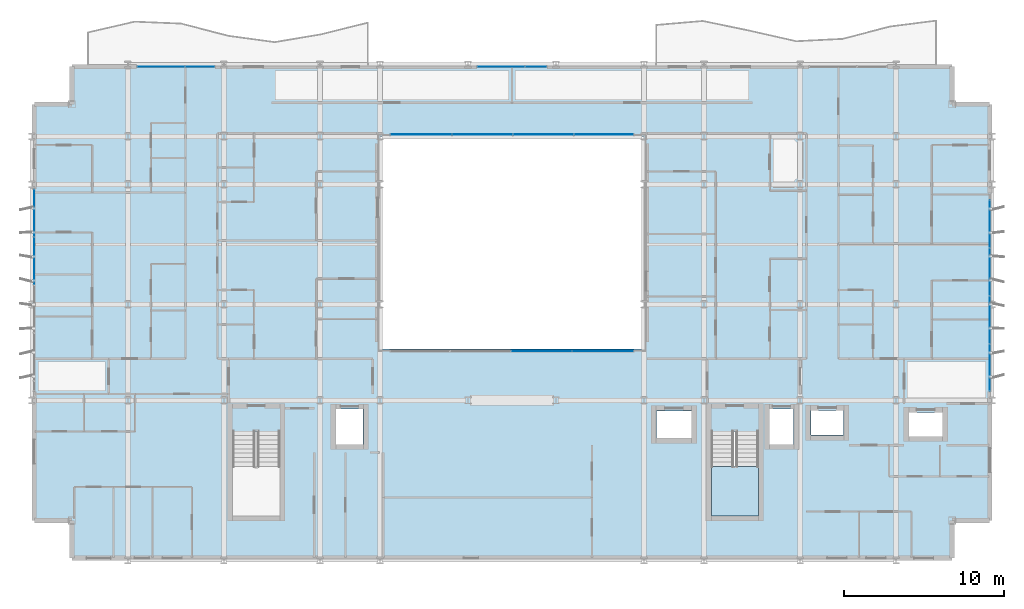
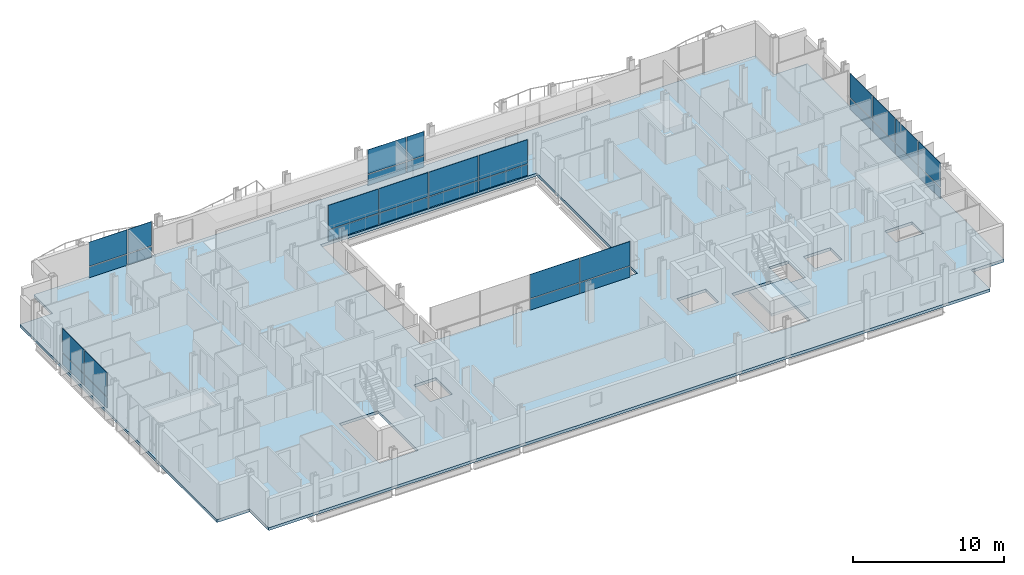
# One storey, part 23 of 38: 32 plates, 2 slabs, 7 elements without a shape of their own.
"""IFC4 building model written with IfcOpenShell, lengths in metres."""

from ifc_helpers import new_model, si_unit, direction, frame, origin, origin_2d, place, context, subcontext, project, spatial, polyline, rectangle, outline, extrude, material, layer, layer_set, type_object, element, aggregate, save


model = new_model("IFC4")

# Units and contexts
model_context = context("Model", 3, precision=1e-05, world=origin(), true_north=direction((0.0, 1.0)))
body_context = subcontext(model_context, "Body", "Model", "MODEL_VIEW")
ifc_project = project(units=[si_unit("LENGTHUNIT", "METRE"), si_unit("AREAUNIT", "SQUARE_METRE"), si_unit("VOLUMEUNIT", "CUBIC_METRE"), si_unit("PLANEANGLEUNIT", "RADIAN"), si_unit("MASSUNIT", "GRAM", prefix="KILO")], contexts=[model_context])

# Site, building, storey
site_placement = place(None, origin())
site = spatial("IfcSite", under=ifc_project, at=site_placement, CompositionType="ELEMENT")
building_placement = place(site_placement, origin())
building = spatial("IfcBuilding", under=site, at=building_placement, Name="Brevholm Reach", CompositionType="ELEMENT")
storey_placement = place(building_placement, frame((0.0, 0.0, 46.60009765625)))
storey = spatial("IfcBuildingStorey", under=building, at=storey_placement, Name="L12", CompositionType="ELEMENT", Elevation=46.60009765625)

# Curtain wall, plates
ifc_material_1 = material(Name="Dark Anodised Aluminium 6063-T6 and Solar-Control Glass", Category="aluminium")
ifc_layer_1 = layer(ifc_material_1, 0.14990234375)
ifc_layer_set_1 = layer_set([ifc_layer_1], Name="Dark Anodised Aluminium 6063-T6 and Solar-Control Glass")
curtain_wall_type_1 = type_object("IfcCurtainWallType", Name="CW-01", PredefinedType="NOTDEFINED", material=ifc_layer_set_1)
curtain_wall_1_placement = place(storey_placement, origin())
curtain_wall_1 = element("IfcCurtainWall", 1, at=curtain_wall_1_placement, inside=storey, type_object=curtain_wall_type_1, Name="L12 Curtain Wall CW-01", PredefinedType="NOTDEFINED")
ifc_material_2 = material(Name="Dark Solar-Control Double-Glazed IGU Glass", Category="glass")
ifc_layer_2 = layer(ifc_material_2, 0.028076171875)
ifc_layer_set_2 = layer_set([ifc_layer_2], Name="Dark Solar-Control Double-Glazed IGU Glass")
plate_type_1 = type_object("IfcPlateType", Name="CWP-GLZ-28", PredefinedType="CURTAIN_PANEL", material=ifc_layer_set_2)
plate_1_placement = place(storey_placement, frame((0.14990234375, 21.703857421875, 0.0), z_axis=(0.0, 0.0, 1.0), x_axis=(0.0, -1.0, 0.0)))
plate_1 = element("IfcPlate", 2, at=plate_1_placement, type_object=plate_type_1, Name="CP-01 Glazing Panel 1.1", PredefinedType="CURTAIN_PANEL", context=body_context, shape_type="SweptSolid", body=[
    extrude(rectangle(XDim=2.902587890625, YDim=0.028076171875, at=origin_2d()), origin(), (0.0, 0.0, 1.0), 0.867431640625),
])
plate_2_placement = place(storey_placement, frame((0.14990234375, 21.703857421875, 0.932373046875), z_axis=(0.0, 0.0, 1.0), x_axis=(0.0, -1.0, 0.0)))
plate_2 = element("IfcPlate", 3, at=plate_2_placement, type_object=plate_type_1, Name="CP-01 Glazing Panel 1.2", PredefinedType="CURTAIN_PANEL", context=body_context, shape_type="SweptSolid", body=[
    extrude(rectangle(XDim=2.902587890625, YDim=0.028076171875, at=origin_2d()), origin(), (0.0, 0.0, 1.0), 1.9375),
])
plate_3_placement = place(storey_placement, frame((0.14990234375, 18.719970703125, 0.0), z_axis=(0.0, 0.0, 1.0), x_axis=(0.0, -1.0, 0.0)))
plate_3 = element("IfcPlate", 4, at=plate_3_placement, type_object=plate_type_1, Name="CP-01 Glazing Panel 2.1", PredefinedType="CURTAIN_PANEL", context=body_context, shape_type="SweptSolid", body=[
    extrude(rectangle(XDim=2.93505859375, YDim=0.028076171875, at=origin_2d()), origin(), (0.0, 0.0, 1.0), 0.867431640625),
])
plate_4_placement = place(storey_placement, frame((0.14990234375, 18.719970703125, 0.932373046875), z_axis=(0.0, 0.0, 1.0), x_axis=(0.0, -1.0, 0.0)))
plate_4 = element("IfcPlate", 5, at=plate_4_placement, type_object=plate_type_1, Name="CP-01 Glazing Panel 2.2", PredefinedType="CURTAIN_PANEL", context=body_context, shape_type="SweptSolid", body=[
    extrude(rectangle(XDim=2.93505859375, YDim=0.028076171875, at=origin_2d()), origin(), (0.0, 0.0, 1.0), 1.9375),
])
aggregate(curtain_wall_1, [plate_1, plate_2, plate_3, plate_4])

curtain_wall_2_placement = place(storey_placement, origin())
curtain_wall_2 = element("IfcCurtainWall", 6, at=curtain_wall_2_placement, inside=storey, type_object=curtain_wall_type_1, Name="L12 Curtain Wall CW-01", PredefinedType="NOTDEFINED")
plate_5_placement = place(storey_placement, frame((59.85009765625, 12.066162109375, 0.0), z_axis=(0.0, 0.0, 1.0), x_axis=(0.0, 1.0, 0.0)))
plate_5 = element("IfcPlate", 7, at=plate_5_placement, type_object=plate_type_1, Name="CP-01 Glazing Panel 1.1", PredefinedType="CURTAIN_PANEL", context=body_context, shape_type="SweptSolid", body=[
    extrude(rectangle(XDim=2.902587890625, YDim=0.028076171875, at=origin_2d()), origin(), (0.0, 0.0, 1.0), 0.867431640625),
])
plate_6_placement = place(storey_placement, frame((59.85009765625, 12.066162109375, 0.932373046875), z_axis=(0.0, 0.0, 1.0), x_axis=(0.0, 1.0, 0.0)))
plate_6 = element("IfcPlate", 8, at=plate_6_placement, type_object=plate_type_1, Name="CP-01 Glazing Panel 1.2", PredefinedType="CURTAIN_PANEL", context=body_context, shape_type="SweptSolid", body=[
    extrude(rectangle(XDim=2.902587890625, YDim=0.028076171875, at=origin_2d()), origin(), (0.0, 0.0, 1.0), 1.9375),
])
plate_7_placement = place(storey_placement, frame((59.85009765625, 15.050048828125, 0.0), z_axis=(0.0, 0.0, 1.0), x_axis=(0.0, 1.0, 0.0)))
plate_7 = element("IfcPlate", 9, at=plate_7_placement, type_object=plate_type_1, Name="CP-01 Glazing Panel 2.1", PredefinedType="CURTAIN_PANEL", context=body_context, shape_type="SweptSolid", body=[
    extrude(rectangle(XDim=2.93505859375, YDim=0.028076171875, at=origin_2d()), origin(), (0.0, 0.0, 1.0), 0.867431640625),
])
plate_8_placement = place(storey_placement, frame((59.85009765625, 15.050048828125, 0.932373046875), z_axis=(0.0, 0.0, 1.0), x_axis=(0.0, 1.0, 0.0)))
plate_8 = element("IfcPlate", 10, at=plate_8_placement, type_object=plate_type_1, Name="CP-01 Glazing Panel 2.2", PredefinedType="CURTAIN_PANEL", context=body_context, shape_type="SweptSolid", body=[
    extrude(rectangle(XDim=2.93505859375, YDim=0.028076171875, at=origin_2d()), origin(), (0.0, 0.0, 1.0), 1.9375),
])
plate_9_placement = place(storey_placement, frame((59.85009765625, 18.050048828125, 0.0), z_axis=(0.0, 0.0, 1.0), x_axis=(0.0, 1.0, 0.0)))
plate_9 = element("IfcPlate", 11, at=plate_9_placement, type_object=plate_type_1, Name="CP-01 Glazing Panel 3.1", PredefinedType="CURTAIN_PANEL", context=body_context, shape_type="SweptSolid", body=[
    extrude(rectangle(XDim=2.93505859375, YDim=0.028076171875, at=origin_2d()), origin(), (0.0, 0.0, 1.0), 0.867431640625),
])
plate_10_placement = place(storey_placement, frame((59.85009765625, 18.050048828125, 0.932373046875), z_axis=(0.0, 0.0, 1.0), x_axis=(0.0, 1.0, 0.0)))
plate_10 = element("IfcPlate", 12, at=plate_10_placement, type_object=plate_type_1, Name="CP-01 Glazing Panel 3.2", PredefinedType="CURTAIN_PANEL", context=body_context, shape_type="SweptSolid", body=[
    extrude(rectangle(XDim=2.93505859375, YDim=0.028076171875, at=origin_2d()), origin(), (0.0, 0.0, 1.0), 1.9375),
])
plate_11_placement = place(storey_placement, frame((59.85009765625, 21.050048828125, 0.0), z_axis=(0.0, 0.0, 1.0), x_axis=(0.0, 1.0, 0.0)))
plate_11 = element("IfcPlate", 13, at=plate_11_placement, type_object=plate_type_1, Name="CP-01 Glazing Panel 4.1", PredefinedType="CURTAIN_PANEL", context=body_context, shape_type="SweptSolid", body=[
    extrude(rectangle(XDim=2.93505859375, YDim=0.028076171875, at=origin_2d()), origin(), (0.0, 0.0, 1.0), 0.867431640625),
])
plate_12_placement = place(storey_placement, frame((59.85009765625, 21.050048828125, 0.932373046875), z_axis=(0.0, 0.0, 1.0), x_axis=(0.0, 1.0, 0.0)))
plate_12 = element("IfcPlate", 14, at=plate_12_placement, type_object=plate_type_1, Name="CP-01 Glazing Panel 4.2", PredefinedType="CURTAIN_PANEL", context=body_context, shape_type="SweptSolid", body=[
    extrude(rectangle(XDim=2.93505859375, YDim=0.028076171875, at=origin_2d()), origin(), (0.0, 0.0, 1.0), 1.9375),
])
aggregate(curtain_wall_2, [plate_5, plate_6, plate_7, plate_8, plate_9, plate_10, plate_11, plate_12])

curtain_wall_3_placement = place(storey_placement, origin())
curtain_wall_3 = element("IfcCurtainWall", 15, at=curtain_wall_3_placement, inside=storey, type_object=curtain_wall_type_1, Name="L12 Curtain Wall CW-01", PredefinedType="NOTDEFINED")
plate_13_placement = place(storey_placement, frame((8.066162109375, 30.85009765625, 0.0), z_axis=(0.0, 0.0, 1.0), x_axis=(1.0, 0.0, 0.0)))
plate_13 = element("IfcPlate", 16, at=plate_13_placement, type_object=plate_type_1, Name="CP-01 Glazing Panel 1.1", PredefinedType="CURTAIN_PANEL", context=body_context, shape_type="SweptSolid", body=[
    extrude(rectangle(XDim=2.902587890625, YDim=0.028076171875, at=origin_2d()), origin(), (0.0, 0.0, 1.0), 0.867431640625),
])
plate_14_placement = place(storey_placement, frame((8.066162109375, 30.85009765625, 0.932373046875), z_axis=(0.0, 0.0, 1.0), x_axis=(1.0, 0.0, 0.0)))
plate_14 = element("IfcPlate", 17, at=plate_14_placement, type_object=plate_type_1, Name="CP-01 Glazing Panel 1.2", PredefinedType="CURTAIN_PANEL", context=body_context, shape_type="SweptSolid", body=[
    extrude(rectangle(XDim=2.902587890625, YDim=0.028076171875, at=origin_2d()), origin(), (0.0, 0.0, 1.0), 1.9375),
])
plate_15_placement = place(storey_placement, frame((10.483642578125, 30.85009765625, 0.0), z_axis=(0.0, 0.0, 1.0), x_axis=(1.0, 0.0, 0.0)))
plate_15 = element("IfcPlate", 18, at=plate_15_placement, type_object=plate_type_1, Name="CP-01 Glazing Panel 2.1", PredefinedType="CURTAIN_PANEL", context=body_context, shape_type="SweptSolid", body=[
    extrude(rectangle(XDim=1.802490234375, YDim=0.028076171875, at=origin_2d()), origin(), (0.0, 0.0, 1.0), 0.867431640625),
])
plate_16_placement = place(storey_placement, frame((10.483642578125, 30.85009765625, 0.932373046875), z_axis=(0.0, 0.0, 1.0), x_axis=(1.0, 0.0, 0.0)))
plate_16 = element("IfcPlate", 19, at=plate_16_placement, type_object=plate_type_1, Name="CP-01 Glazing Panel 2.2", PredefinedType="CURTAIN_PANEL", context=body_context, shape_type="SweptSolid", body=[
    extrude(rectangle(XDim=1.802490234375, YDim=0.028076171875, at=origin_2d()), origin(), (0.0, 0.0, 1.0), 1.9375),
])
aggregate(curtain_wall_3, [plate_13, plate_14, plate_15, plate_16])

curtain_wall_4_placement = place(storey_placement, origin())
curtain_wall_4 = element("IfcCurtainWall", 20, at=curtain_wall_4_placement, inside=storey, type_object=curtain_wall_type_1, Name="L12 Curtain Wall CW-01", PredefinedType="NOTDEFINED")
plate_17_placement = place(storey_placement, frame((29.316162109375, 30.85009765625, 0.0), z_axis=(0.0, 0.0, 1.0), x_axis=(1.0, 0.0, 0.0)))
plate_17 = element("IfcPlate", 21, at=plate_17_placement, type_object=plate_type_1, Name="CP-01 Glazing Panel 1.1", PredefinedType="CURTAIN_PANEL", context=body_context, shape_type="SweptSolid", body=[
    extrude(rectangle(XDim=2.902587890625, YDim=0.028076171875, at=origin_2d()), origin(), (0.0, 0.0, 1.0), 0.867431640625),
])
plate_18_placement = place(storey_placement, frame((29.316162109375, 30.85009765625, 0.932373046875), z_axis=(0.0, 0.0, 1.0), x_axis=(1.0, 0.0, 0.0)))
plate_18 = element("IfcPlate", 22, at=plate_18_placement, type_object=plate_type_1, Name="CP-01 Glazing Panel 1.2", PredefinedType="CURTAIN_PANEL", context=body_context, shape_type="SweptSolid", body=[
    extrude(rectangle(XDim=2.902587890625, YDim=0.028076171875, at=origin_2d()), origin(), (0.0, 0.0, 1.0), 1.9375),
])
plate_19_placement = place(storey_placement, frame((31.483642578125, 30.85009765625, 0.0), z_axis=(0.0, 0.0, 1.0), x_axis=(1.0, 0.0, 0.0)))
plate_19 = element("IfcPlate", 23, at=plate_19_placement, type_object=plate_type_1, Name="CP-01 Glazing Panel 2.1", PredefinedType="CURTAIN_PANEL", context=body_context, shape_type="SweptSolid", body=[
    extrude(rectangle(XDim=1.302490234375, YDim=0.028076171875, at=origin_2d()), origin(), (0.0, 0.0, 1.0), 0.867431640625),
])
plate_20_placement = place(storey_placement, frame((31.483642578125, 30.85009765625, 0.932373046875), z_axis=(0.0, 0.0, 1.0), x_axis=(1.0, 0.0, 0.0)))
plate_20 = element("IfcPlate", 24, at=plate_20_placement, type_object=plate_type_1, Name="CP-01 Glazing Panel 2.2", PredefinedType="CURTAIN_PANEL", context=body_context, shape_type="SweptSolid", body=[
    extrude(rectangle(XDim=1.302490234375, YDim=0.028076171875, at=origin_2d()), origin(), (0.0, 0.0, 1.0), 1.9375),
])
aggregate(curtain_wall_4, [plate_17, plate_18, plate_19, plate_20])

ifc_material_3 = material(Name="Dark Anodised Aluminium 6063-T6 and Solar-Control Glass", Category="aluminium")
ifc_layer_3 = layer(ifc_material_3, 0.139892578125)
ifc_layer_set_3 = layer_set([ifc_layer_3], Name="Dark Anodised Aluminium 6063-T6 and Solar-Control Glass")
curtain_wall_type_2 = type_object("IfcCurtainWallType", Name="CW-02", PredefinedType="NOTDEFINED", material=ifc_layer_set_3)
curtain_wall_5_placement = place(storey_placement, origin())
curtain_wall_5 = element("IfcCurtainWall", 25, at=curtain_wall_5_placement, inside=storey, type_object=curtain_wall_type_2, Name="L12 Curtain Wall CW-02", PredefinedType="NOTDEFINED")
ifc_material_4 = material(Name="Low-Iron Laminated Acoustic Glass", Category="glass")
ifc_layer_4 = layer(ifc_material_4, 0.035888671875)
ifc_layer_set_4 = layer_set([ifc_layer_4], Name="Low-Iron Laminated Acoustic Glass")
plate_type_2 = type_object("IfcPlateType", Name="CWP-GLZ-36", PredefinedType="CURTAIN_PANEL", material=ifc_layer_set_4)
plate_21_placement = place(storey_placement, frame((31.85009765625, 13.080078125, -0.000244140625), z_axis=(0.0, 0.0, 1.0), x_axis=(1.0, 0.0, 0.0)))
plate_21 = element("IfcPlate", 26, at=plate_21_placement, type_object=plate_type_2, Name="CP-02 Glazing Panel 3.1", PredefinedType="CURTAIN_PANEL", context=body_context, shape_type="SweptSolid", body=[
    extrude(rectangle(XDim=3.739990234375, YDim=0.035888671875, at=origin_2d()), origin(), (0.0, 0.0, 1.0), 0.8701171875),
])
plate_22_placement = place(storey_placement, frame((31.85009765625, 13.080078125, 0.929931640625), z_axis=(0.0, 0.0, 1.0), x_axis=(1.0, 0.0, 0.0)))
plate_22 = element("IfcPlate", 27, at=plate_22_placement, type_object=plate_type_2, Name="CP-02 Glazing Panel 3.2", PredefinedType="CURTAIN_PANEL", context=body_context, shape_type="SweptSolid", body=[
    extrude(rectangle(XDim=3.739990234375, YDim=0.035888671875, at=origin_2d()), origin(), (0.0, 0.0, 1.0), 1.93994140625),
])
plate_23_placement = place(storey_placement, frame((35.68505859375, 13.080078125, -0.000244140625), z_axis=(0.0, 0.0, 1.0), x_axis=(1.0, 0.0, 0.0)))
plate_23 = element("IfcPlate", 28, at=plate_23_placement, type_object=plate_type_2, Name="CP-02 Glazing Panel 4.1", PredefinedType="CURTAIN_PANEL", context=body_context, shape_type="SweptSolid", body=[
    extrude(rectangle(XDim=3.81005859375, YDim=0.035888671875, at=origin_2d()), origin(), (0.0, 0.0, 1.0), 0.8701171875),
])
plate_24_placement = place(storey_placement, frame((35.68505859375, 13.080078125, 0.929931640625), z_axis=(0.0, 0.0, 1.0), x_axis=(1.0, 0.0, 0.0)))
plate_24 = element("IfcPlate", 29, at=plate_24_placement, type_object=plate_type_2, Name="CP-02 Glazing Panel 4.2", PredefinedType="CURTAIN_PANEL", context=body_context, shape_type="SweptSolid", body=[
    extrude(rectangle(XDim=3.81005859375, YDim=0.035888671875, at=origin_2d()), origin(), (0.0, 0.0, 1.0), 1.93994140625),
])
aggregate(curtain_wall_5, [plate_21, plate_22, plate_23, plate_24])

curtain_wall_6_placement = place(storey_placement, origin())
curtain_wall_6 = element("IfcCurtainWall", 30, at=curtain_wall_6_placement, inside=storey, type_object=curtain_wall_type_2, Name="L12 Curtain Wall CW-02", PredefinedType="NOTDEFINED")
plate_25_placement = place(storey_placement, frame((35.735107421875, 26.6201171875, -0.000244140625), z_axis=(0.0, 0.0, 1.0), x_axis=(-1.0, 0.0, 0.0)))
plate_25 = element("IfcPlate", 31, at=plate_25_placement, type_object=plate_type_2, Name="CP-02 Glazing Panel 1.1", PredefinedType="CURTAIN_PANEL", context=body_context, shape_type="SweptSolid", body=[
    extrude(rectangle(XDim=3.7099609375, YDim=0.035888671875, at=origin_2d()), origin(), (0.0, 0.0, 1.0), 0.8701171875),
])
plate_26_placement = place(storey_placement, frame((35.735107421875, 26.6201171875, 0.929931640625), z_axis=(0.0, 0.0, 1.0), x_axis=(-1.0, 0.0, 0.0)))
plate_26 = element("IfcPlate", 32, at=plate_26_placement, type_object=plate_type_2, Name="CP-02 Glazing Panel 1.2", PredefinedType="CURTAIN_PANEL", context=body_context, shape_type="SweptSolid", body=[
    extrude(rectangle(XDim=3.7099609375, YDim=0.035888671875, at=origin_2d()), origin(), (0.0, 0.0, 1.0), 1.93994140625),
])
plate_27_placement = place(storey_placement, frame((31.949951171875, 26.6201171875, -0.000244140625), z_axis=(0.0, 0.0, 1.0), x_axis=(-1.0, 0.0, 0.0)))
plate_27 = element("IfcPlate", 33, at=plate_27_placement, type_object=plate_type_2, Name="CP-02 Glazing Panel 2.1", PredefinedType="CURTAIN_PANEL", context=body_context, shape_type="SweptSolid", body=[
    extrude(rectangle(XDim=3.739990234375, YDim=0.035888671875, at=origin_2d()), origin(), (0.0, 0.0, 1.0), 0.8701171875),
])
plate_28_placement = place(storey_placement, frame((31.949951171875, 26.6201171875, 0.929931640625), z_axis=(0.0, 0.0, 1.0), x_axis=(-1.0, 0.0, 0.0)))
plate_28 = element("IfcPlate", 34, at=plate_28_placement, type_object=plate_type_2, Name="CP-02 Glazing Panel 2.2", PredefinedType="CURTAIN_PANEL", context=body_context, shape_type="SweptSolid", body=[
    extrude(rectangle(XDim=3.739990234375, YDim=0.035888671875, at=origin_2d()), origin(), (0.0, 0.0, 1.0), 1.93994140625),
])
plate_29_placement = place(storey_placement, frame((28.14990234375, 26.6201171875, -0.000244140625), z_axis=(0.0, 0.0, 1.0), x_axis=(-1.0, 0.0, 0.0)))
plate_29 = element("IfcPlate", 35, at=plate_29_placement, type_object=plate_type_2, Name="CP-02 Glazing Panel 3.1", PredefinedType="CURTAIN_PANEL", context=body_context, shape_type="SweptSolid", body=[
    extrude(rectangle(XDim=3.739990234375, YDim=0.035888671875, at=origin_2d()), origin(), (0.0, 0.0, 1.0), 0.8701171875),
])
plate_30_placement = place(storey_placement, frame((28.14990234375, 26.6201171875, 0.929931640625), z_axis=(0.0, 0.0, 1.0), x_axis=(-1.0, 0.0, 0.0)))
plate_30 = element("IfcPlate", 36, at=plate_30_placement, type_object=plate_type_2, Name="CP-02 Glazing Panel 3.2", PredefinedType="CURTAIN_PANEL", context=body_context, shape_type="SweptSolid", body=[
    extrude(rectangle(XDim=3.739990234375, YDim=0.035888671875, at=origin_2d()), origin(), (0.0, 0.0, 1.0), 1.93994140625),
])
plate_31_placement = place(storey_placement, frame((24.31494140625, 26.6201171875, -0.000244140625), z_axis=(0.0, 0.0, 1.0), x_axis=(-1.0, 0.0, 0.0)))
plate_31 = element("IfcPlate", 37, at=plate_31_placement, type_object=plate_type_2, Name="CP-02 Glazing Panel 4.1", PredefinedType="CURTAIN_PANEL", context=body_context, shape_type="SweptSolid", body=[
    extrude(rectangle(XDim=3.81005859375, YDim=0.035888671875, at=origin_2d()), origin(), (0.0, 0.0, 1.0), 0.8701171875),
])
plate_32_placement = place(storey_placement, frame((24.31494140625, 26.6201171875, 0.929931640625), z_axis=(0.0, 0.0, 1.0), x_axis=(-1.0, 0.0, 0.0)))
plate_32 = element("IfcPlate", 38, at=plate_32_placement, type_object=plate_type_2, Name="CP-02 Glazing Panel 4.2", PredefinedType="CURTAIN_PANEL", context=body_context, shape_type="SweptSolid", body=[
    extrude(rectangle(XDim=3.81005859375, YDim=0.035888671875, at=origin_2d()), origin(), (0.0, 0.0, 1.0), 1.93994140625),
])
aggregate(curtain_wall_6, [plate_25, plate_26, plate_27, plate_28, plate_29, plate_30, plate_31, plate_32])

# Slab
ifc_material_5 = material(Name="Concrete C40/50", Category="concrete")
ifc_layer_5 = layer(ifc_material_5, 0.22998046875)
ifc_layer_set_5 = layer_set([ifc_layer_5], Name="Concrete C40/50")
slab_type_1 = type_object("IfcSlabType", Name="SLB-FL-230", PredefinedType="FLOOR", material=ifc_layer_set_5)
slab_1_placement = place(storey_placement, frame((0.0, 0.0, -0.22998046875)))
element("IfcSlab", 39, at=slab_1_placement, inside=storey, type_object=slab_type_1, Name="L12 Suspended Floor Slab (main)", PredefinedType="FLOOR", context=body_context, shape_type="SweptSolid", body=[
    extrude(outline(polyline([(2.5, 0.0), (57.5, 0.0), (57.5, 2.5), (60.0, 2.5), (60.0, 28.5), (57.5, 28.5), (57.5, 31.0), (2.5, 31.0), (2.5, 28.5), (0.0, 28.5), (0.0, 2.5), (2.5, 2.5), (2.5, 0.0)]), holes=[polyline([(21.75, 13.199951171875), (38.25, 13.199951171875), (38.25, 26.5), (21.75, 26.5), (21.75, 13.199951171875)]), polyline([(12.550048828125, 2.780029296875), (15.5, 2.780029296875), (15.5, 8.044921875), (12.550048828125, 8.044921875), (12.550048828125, 2.780029296875)]), polyline([(42.449951171875, 2.780029296875), (45.39990234375, 2.780029296875), (45.39990234375, 8.044921875), (42.449951171875, 8.044921875), (42.449951171875, 2.780029296875)]), polyline([(19.0, 7.25), (20.699951171875, 7.25), (20.699951171875, 9.449951171875), (19.0, 9.449951171875), (19.0, 7.25)]), polyline([(46.10009765625, 7.25), (47.60009765625, 7.25), (47.60009765625, 9.449951171875), (46.10009765625, 9.449951171875), (46.10009765625, 7.25)]), polyline([(48.675048828125, 7.824951171875), (50.72509765625, 7.824951171875), (50.72509765625, 9.375), (48.675048828125, 9.375), (48.675048828125, 7.824951171875)]), polyline([(54.800048828125, 7.75), (56.89990234375, 7.75), (56.89990234375, 9.25), (54.800048828125, 9.25), (54.800048828125, 7.75)]), polyline([(39.02001953125, 7.64990234375), (41.219970703125, 7.64990234375), (41.219970703125, 9.35009765625), (39.02001953125, 9.35009765625), (39.02001953125, 7.64990234375)])]), origin(), (0.0, 0.0, 1.0), 0.22998046875),
])

# Stair, slab
ifc_material_6 = material(Name="Precast Concrete C40/50", Category="concrete")
stair_type = type_object("IfcStairType", Name="STR-ESC-1400", PredefinedType="DOUBLE_RETURN_STAIR", material=ifc_material_6)
stair_placement = place(storey_placement, origin())
stair = element("IfcStair", 40, at=stair_placement, inside=storey, type_object=stair_type, Name="L12 ST-2", PredefinedType="DOUBLE_RETURN_STAIR")
ifc_material_7 = material(Name="Concrete C40/50", Category="concrete")
ifc_layer_6 = layer(ifc_material_7, 0.199951171875)
ifc_layer_set_6 = layer_set([ifc_layer_6], Name="Concrete C40/50")
slab_type_2 = type_object("IfcSlabType", Name="SLB-LND-200", PredefinedType="LANDING", material=ifc_layer_set_6)
slab_2_placement = place(storey_placement, frame((0.0, 0.0, 1.349853515625)))
slab_2 = element("IfcSlab", 41, at=slab_2_placement, type_object=slab_type_2, Name="ST-2 landing 1", PredefinedType="LANDING", context=body_context, shape_type="SweptSolid", body=[
    extrude(outline(polyline([(42.449951171875, 5.860107421875), (42.449951171875, 2.780029296875), (45.39990234375, 2.780029296875), (45.39990234375, 5.860107421875), (42.449951171875, 5.860107421875)])), origin(), (0.0, 0.0, 1.0), 0.199951171875),
])
aggregate(stair, [slab_2])

save(model, "model.ifc")
